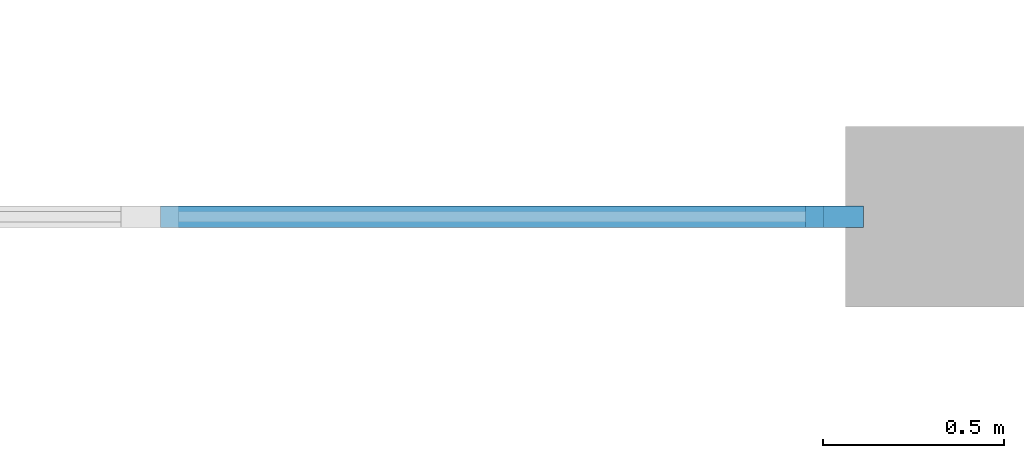
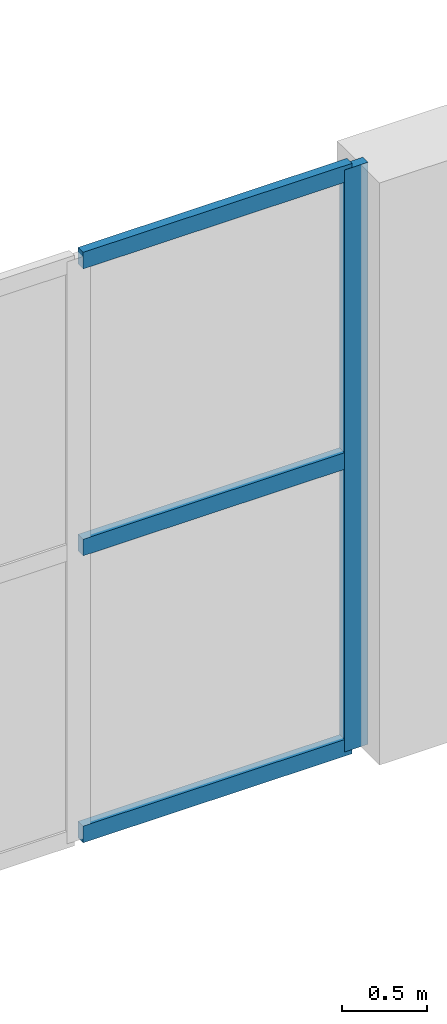
# One storey, part 18 of 51: 4 members, 1 element without a shape of its own.
"""IFC4 building model written with IfcOpenShell, lengths in metres."""

from ifc_helpers import new_model, si_unit, direction, frame, origin, origin_2d, place, context, subcontext, project, spatial, rectangle, extrude, material, layer, layer_set, material_profile, profile_set, type_object, element, aggregate, save


model = new_model("IFC4")

# Units and contexts
model_context = context("Model", 3, precision=1e-05, world=origin(), true_north=direction((0.0, 1.0)))
body_context = subcontext(model_context, "Body", "Model", "MODEL_VIEW")
ifc_project = project(units=[si_unit("LENGTHUNIT", "METRE"), si_unit("AREAUNIT", "SQUARE_METRE"), si_unit("VOLUMEUNIT", "CUBIC_METRE"), si_unit("PLANEANGLEUNIT", "RADIAN"), si_unit("MASSUNIT", "GRAM", prefix="KILO")], contexts=[model_context])

# Site, building, storey
site_placement = place(None, origin())
site = spatial("IfcSite", under=ifc_project, at=site_placement, CompositionType="ELEMENT")
building_placement = place(site_placement, origin())
building = spatial("IfcBuilding", under=site, at=building_placement, Name="Cresset Court Congress Hotel", CompositionType="ELEMENT")
storey_placement = place(building_placement, frame((0.0, 0.0, 18.60009765625)))
storey = spatial("IfcBuildingStorey", under=building, at=storey_placement, Name="L04", CompositionType="ELEMENT", Elevation=18.60009765625)

# Curtain wall, members
ifc_material_1 = material(Name="Aluminium and glass", Category="aluminium")
ifc_layer = layer(ifc_material_1, 0.199951171875)
ifc_layer_set = layer_set([ifc_layer], Name="Clerestory curtain wall 1925 module")
curtain_wall_type = type_object("IfcCurtainWallType", Name="Clerestory curtain wall 1925 module", PredefinedType="NOTDEFINED", material=ifc_layer_set)
curtain_wall_placement = place(storey_placement, origin())
curtain_wall = element("IfcCurtainWall", 1, at=curtain_wall_placement, inside=storey, type_object=curtain_wall_type, Name="Clerestory CX-04S4", PredefinedType="NOTDEFINED")
ifc_material_2 = material(Name="Anodised aluminium", Category="aluminium")
ifc_material_profile_1 = material_profile(ifc_material_2, rectangle(XDim=0.06005859375, YDim=0.159912109375, at=origin_2d()), Name="AL60x160")
ifc_profile_set_1 = profile_set([ifc_material_profile_1], Name="Anodised aluminium")
member_type_1 = type_object("IfcMemberType", Name="Curtain wall mullion 60x160", PredefinedType="MULLION", material=ifc_profile_set_1)
member_1_placement = place(storey_placement, frame((108.919921875, 58.800048828125, 0.0), z_axis=(0.0, 0.0, 1.0), x_axis=(0.0, 1.0, 0.0)))
member_1 = element("IfcMember", 2, at=member_1_placement, type_object=member_type_1, Name="C-X5 mullion 5", PredefinedType="MULLION", context=body_context, shape_type="SweptSolid", body=[
    extrude(rectangle(XDim=0.06005859375, YDim=0.159912109375, at=origin_2d()), origin(), (0.0, 0.0, 1.0), 4.199951171875),
])
ifc_material_3 = material(Name="Anodised aluminium", Category="aluminium")
ifc_material_profile_2 = material_profile(ifc_material_3, rectangle(XDim=0.06005859375, YDim=0.1201171875, at=origin_2d()), Name="AL60x120")
ifc_profile_set_2 = profile_set([ifc_material_profile_2], Name="Anodised aluminium")
member_type_2 = type_object("IfcMemberType", Name="Curtain wall transom 60x120", PredefinedType="USERDEFINED", material=ifc_profile_set_2)
member_2_placement = place(storey_placement, frame((107.054931640625, 58.800048828125, 0.02978515625), z_axis=(1.0, 0.0, 0.0), x_axis=(0.0, 1.0, 0.0)))
member_2 = element("IfcMember", 3, at=member_2_placement, type_object=member_type_2, Name="C-X5 transom 4.1", ObjectType="TRANSOM", PredefinedType="USERDEFINED", context=body_context, shape_type="SweptSolid", body=[
    extrude(rectangle(XDim=0.06005859375, YDim=0.1201171875, at=origin_2d()), origin(), (0.0, 0.0, 1.0), 1.8349609375),
])
member_3_placement = place(storey_placement, frame((107.054931640625, 58.800048828125, 2.099853515625), z_axis=(1.0, 0.0, 0.0), x_axis=(0.0, 1.0, 0.0)))
member_3 = element("IfcMember", 4, at=member_3_placement, type_object=member_type_2, Name="C-X5 transom 4.2", ObjectType="TRANSOM", PredefinedType="USERDEFINED", context=body_context, shape_type="SweptSolid", body=[
    extrude(rectangle(XDim=0.06005859375, YDim=0.1201171875, at=origin_2d()), origin(), (0.0, 0.0, 1.0), 1.8349609375),
])
member_4_placement = place(storey_placement, frame((107.054931640625, 58.800048828125, 4.169921875), z_axis=(1.0, 0.0, 0.0), x_axis=(0.0, 1.0, 0.0)))
member_4 = element("IfcMember", 5, at=member_4_placement, type_object=member_type_2, Name="C-X5 transom 4.3", ObjectType="TRANSOM", PredefinedType="USERDEFINED", context=body_context, shape_type="SweptSolid", body=[
    extrude(rectangle(XDim=0.06005859375, YDim=0.1201171875, at=origin_2d()), origin(), (0.0, 0.0, 1.0), 1.8349609375),
])
aggregate(curtain_wall, [member_1, member_2, member_3, member_4])

save(model, "model.ifc")
